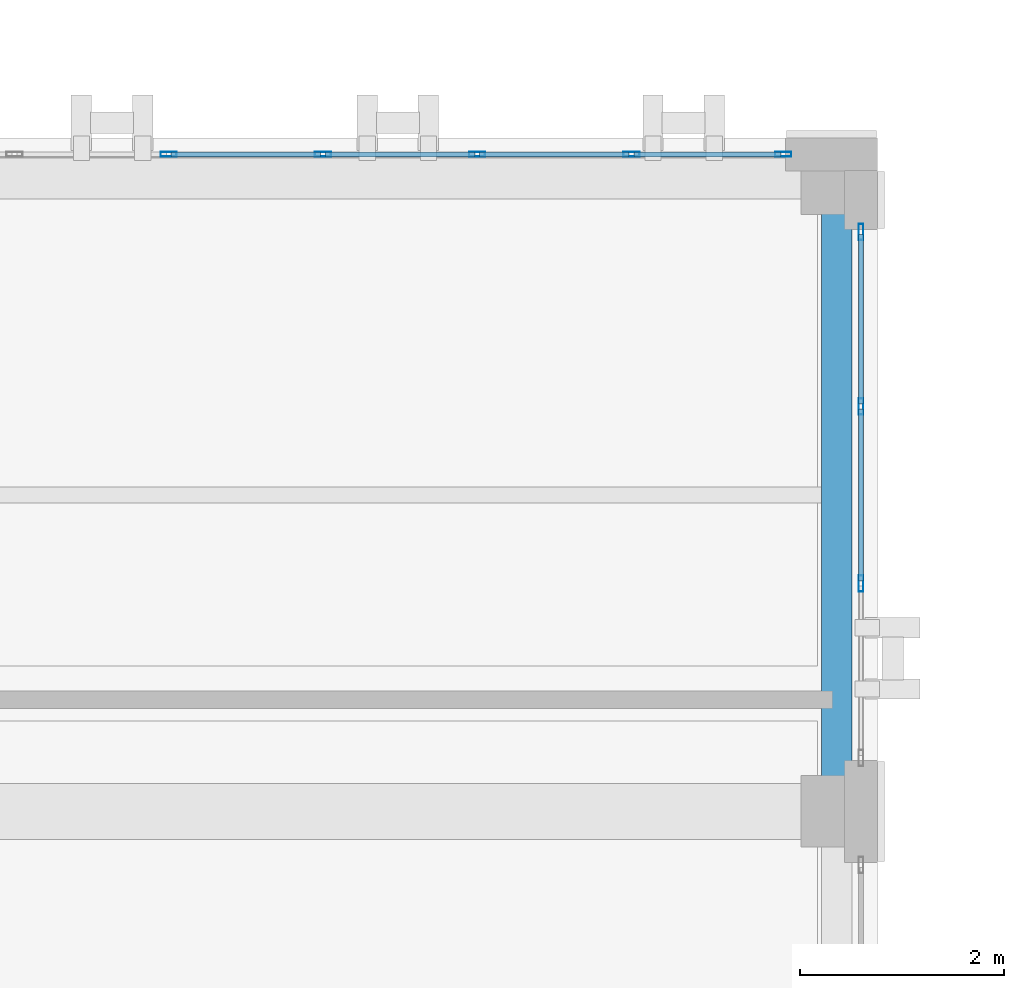
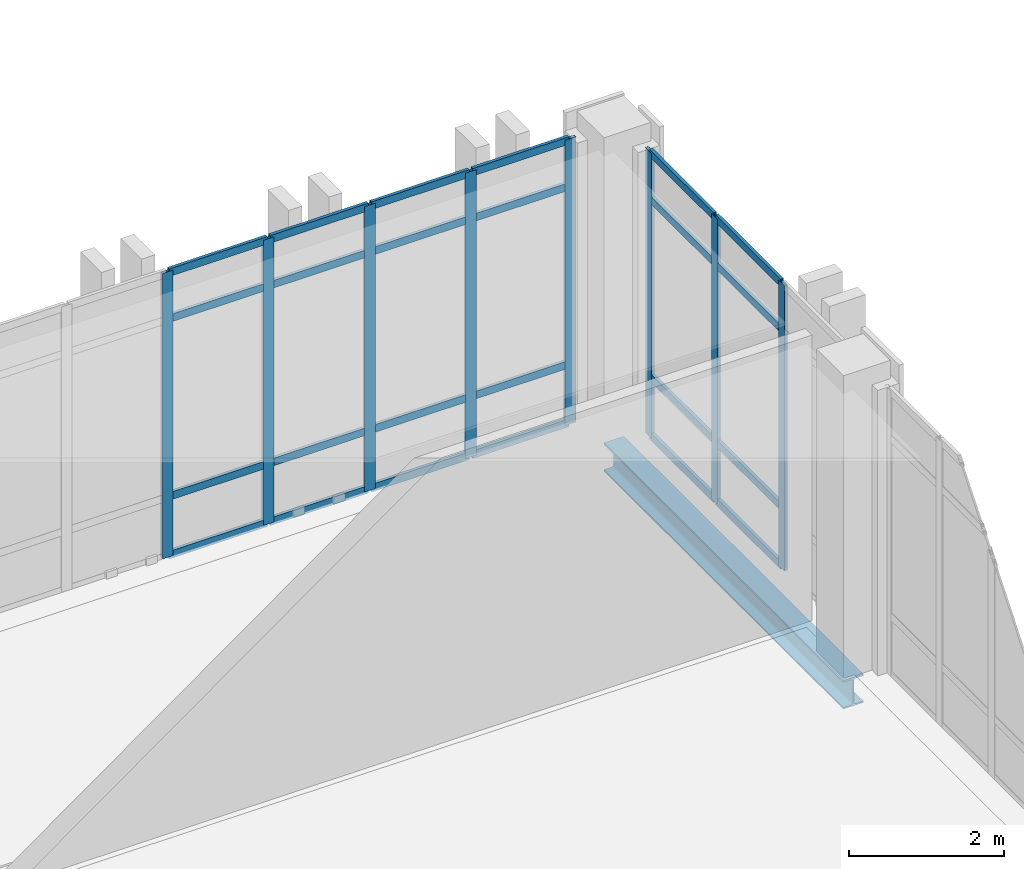
# One storey, part 111 of 189: 32 members, 1 beam, 2 elements without a shape of their own.
"""IFC4 building model written with IfcOpenShell, lengths in metres."""

from ifc_helpers import new_model, si_unit, direction, frame, origin, origin_2d, place, context, subcontext, project, spatial, hollow_rectangle, i_section, extrude, material, layer, layer_set, material_profile, profile_set, type_object, element, aggregate, save


model = new_model("IFC4")

# Units and contexts
model_context = context("Model", 3, precision=1e-05, world=origin(), true_north=direction((0.0, 1.0)))
body_context = subcontext(model_context, "Body", "Model", "MODEL_VIEW")
ifc_project = project(units=[si_unit("LENGTHUNIT", "METRE"), si_unit("AREAUNIT", "SQUARE_METRE"), si_unit("VOLUMEUNIT", "CUBIC_METRE"), si_unit("PLANEANGLEUNIT", "RADIAN"), si_unit("MASSUNIT", "GRAM", prefix="KILO")], contexts=[model_context])

# Site, building, storey
site_placement = place(None, origin())
site = spatial("IfcSite", under=ifc_project, at=site_placement, CompositionType="ELEMENT")
building_placement = place(site_placement, origin())
building = spatial("IfcBuilding", under=site, at=building_placement, Name="Qalavern Law Courts", CompositionType="ELEMENT")
storey_placement = place(building_placement, frame((0.0, 0.0, 5.39990234375)))
storey = spatial("IfcBuildingStorey", under=building, at=storey_placement, Name="L01", CompositionType="ELEMENT", Elevation=5.39990234375)

# Curtain wall, members
ifc_material_1 = material(Name="Anodised aluminium and insulated glazing", Category="aluminium")
ifc_layer = layer(ifc_material_1, 0.172119140625)
ifc_layer_set = layer_set([ifc_layer], Name="Anodised aluminium and insulated glazing")
curtain_wall_type = type_object("IfcCurtainWallType", Name="ENV-CW-COURT", PredefinedType="USERDEFINED", material=ifc_layer_set)
curtain_wall_1_placement = place(storey_placement, origin())
curtain_wall_1 = element("IfcCurtainWall", 1, at=curtain_wall_1_placement, inside=storey, type_object=curtain_wall_type, Name="V4 unitised curtain wall L01 east 5", ObjectType="UNITISED CURTAIN WALL", PredefinedType="USERDEFINED")
ifc_material_2 = material(Name="Anodised aluminium", Category="aluminium")
ifc_material_profile_1 = material_profile(ifc_material_2, hollow_rectangle(XDim=0.048095703125, YDim=0.159912109375, WallThickness=0.00390625, at=origin_2d()), Name="ALU MULLION 48x160")
ifc_profile_set_1 = profile_set([ifc_material_profile_1], Name="Anodised aluminium")
member_type_1 = type_object("IfcMemberType", Name="ENV-CWM-48x160", PredefinedType="MULLION", material=ifc_profile_set_1)
member_1_placement = place(storey_placement, frame((106.637451171875, 81.433349609375, 0.0), z_axis=(0.0, 0.0, 1.0), x_axis=(-1.0, 0.0, 0.0)))
member_1 = element("IfcMember", 2, at=member_1_placement, type_object=member_type_1, Name="CW-03 mullion 2", PredefinedType="MULLION", context=body_context, shape_type="SweptSolid", body=[
    extrude(hollow_rectangle(XDim=0.048095703125, YDim=0.159912109375, WallThickness=0.00390625, at=origin_2d()), origin(), (0.0, 0.0, 1.0), 4.510009765625),
])
member_2_placement = place(storey_placement, frame((106.637451171875, 83.166748046875, 0.0), z_axis=(0.0, 0.0, 1.0), x_axis=(-1.0, 0.0, 0.0)))
member_2 = element("IfcMember", 3, at=member_2_placement, type_object=member_type_1, Name="CW-03 mullion 3", PredefinedType="MULLION", context=body_context, shape_type="SweptSolid", body=[
    extrude(hollow_rectangle(XDim=0.048095703125, YDim=0.159912109375, WallThickness=0.00390625, at=origin_2d()), origin(), (0.0, 0.0, 1.0), 4.510009765625),
])
member_3_placement = place(storey_placement, frame((106.637451171875, 84.8759765625, 0.0), z_axis=(0.0, 0.0, 1.0), x_axis=(-1.0, 0.0, 0.0)))
member_3 = element("IfcMember", 4, at=member_3_placement, type_object=member_type_1, Name="CW-03 mullion 4", PredefinedType="MULLION", context=body_context, shape_type="SweptSolid", body=[
    extrude(hollow_rectangle(XDim=0.048095703125, YDim=0.159912109375, WallThickness=0.00390625, at=origin_2d()), origin(), (0.0, 0.0, 1.0), 4.510009765625),
])

curtain_wall_2_placement = place(storey_placement, origin())
curtain_wall_2 = element("IfcCurtainWall", 5, at=curtain_wall_2_placement, inside=storey, type_object=curtain_wall_type, Name="V4 unitised curtain wall L01 north 1", ObjectType="UNITISED CURTAIN WALL", PredefinedType="USERDEFINED")
member_4_placement = place(storey_placement, frame((105.8759765625, 85.637451171875, 0.0), z_axis=(0.0, 0.0, 1.0), x_axis=(0.0, -1.0, 0.0)))
member_4 = element("IfcMember", 6, at=member_4_placement, type_object=member_type_1, Name="CW-03 mullion 1", PredefinedType="MULLION", context=body_context, shape_type="SweptSolid", body=[
    extrude(hollow_rectangle(XDim=0.048095703125, YDim=0.159912109375, WallThickness=0.00390625, at=origin_2d()), origin(), (0.0, 0.0, 1.0), 4.510009765625),
])
member_5_placement = place(storey_placement, frame((104.388916015625, 85.637451171875, 0.0), z_axis=(0.0, 0.0, 1.0), x_axis=(0.0, -1.0, 0.0)))
member_5 = element("IfcMember", 7, at=member_5_placement, type_object=member_type_1, Name="CW-03 mullion 2", PredefinedType="MULLION", context=body_context, shape_type="SweptSolid", body=[
    extrude(hollow_rectangle(XDim=0.048095703125, YDim=0.159912109375, WallThickness=0.00390625, at=origin_2d()), origin(), (0.0, 0.0, 1.0), 4.510009765625),
])
member_6_placement = place(storey_placement, frame((102.877685546875, 85.637451171875, 0.0), z_axis=(0.0, 0.0, 1.0), x_axis=(0.0, -1.0, 0.0)))
member_6 = element("IfcMember", 8, at=member_6_placement, type_object=member_type_1, Name="CW-03 mullion 3", PredefinedType="MULLION", context=body_context, shape_type="SweptSolid", body=[
    extrude(hollow_rectangle(XDim=0.048095703125, YDim=0.159912109375, WallThickness=0.00390625, at=origin_2d()), origin(), (0.0, 0.0, 1.0), 4.510009765625),
])
member_7_placement = place(storey_placement, frame((101.36669921875, 85.637451171875, 0.0), z_axis=(0.0, 0.0, 1.0), x_axis=(0.0, -1.0, 0.0)))
member_7 = element("IfcMember", 9, at=member_7_placement, type_object=member_type_1, Name="CW-03 mullion 4", PredefinedType="MULLION", context=body_context, shape_type="SweptSolid", body=[
    extrude(hollow_rectangle(XDim=0.048095703125, YDim=0.159912109375, WallThickness=0.00390625, at=origin_2d()), origin(), (0.0, 0.0, 1.0), 4.510009765625),
])
member_8_placement = place(storey_placement, frame((99.85546875, 85.637451171875, 0.0), z_axis=(0.0, 0.0, 1.0), x_axis=(0.0, -1.0, 0.0)))
member_8 = element("IfcMember", 10, at=member_8_placement, type_object=member_type_1, Name="CW-03 mullion 5", PredefinedType="MULLION", context=body_context, shape_type="SweptSolid", body=[
    extrude(hollow_rectangle(XDim=0.048095703125, YDim=0.159912109375, WallThickness=0.00390625, at=origin_2d()), origin(), (0.0, 0.0, 1.0), 4.510009765625),
])

# Member
ifc_material_profile_2 = material_profile(ifc_material_2, hollow_rectangle(XDim=0.048095703125, YDim=0.1201171875, WallThickness=0.00390625, at=origin_2d()), Name="ALU TRANSOM 48x120")
ifc_profile_set_2 = profile_set([ifc_material_profile_2], Name="Anodised aluminium")
member_type_2 = type_object("IfcMemberType", Name="ENV-CWT-48x120", PredefinedType="USERDEFINED", material=ifc_profile_set_2)
member_9_placement = place(storey_placement, frame((106.637451171875, 81.457275390625, 0.024169921875), z_axis=(0.0, 1.0, 0.0), x_axis=(-1.0, 0.0, 0.0)))
member_9 = element("IfcMember", 11, at=member_9_placement, type_object=member_type_2, Name="CW-03 transom 2.1", ObjectType="TRANSOM", PredefinedType="USERDEFINED", context=body_context, shape_type="SweptSolid", body=[
    extrude(hollow_rectangle(XDim=0.048095703125, YDim=0.1201171875, WallThickness=0.00390625, at=origin_2d()), origin(), (0.0, 0.0, 1.0), 1.685302734375),
])

member_10_placement = place(storey_placement, frame((106.637451171875, 81.457275390625, 0.9501953125), z_axis=(0.0, 1.0, 0.0), x_axis=(-1.0, 0.0, 0.0)))
member_10 = element("IfcMember", 12, at=member_10_placement, type_object=member_type_2, Name="CW-03 transom 2.2", ObjectType="TRANSOM", PredefinedType="USERDEFINED", context=body_context, shape_type="SweptSolid", body=[
    extrude(hollow_rectangle(XDim=0.048095703125, YDim=0.1201171875, WallThickness=0.00390625, at=origin_2d()), origin(), (0.0, 0.0, 1.0), 1.685302734375),
])

member_11_placement = place(storey_placement, frame((106.637451171875, 81.457275390625, 3.760009765625), z_axis=(0.0, 1.0, 0.0), x_axis=(-1.0, 0.0, 0.0)))
member_11 = element("IfcMember", 13, at=member_11_placement, type_object=member_type_2, Name="CW-03 transom 2.3", ObjectType="TRANSOM", PredefinedType="USERDEFINED", context=body_context, shape_type="SweptSolid", body=[
    extrude(hollow_rectangle(XDim=0.048095703125, YDim=0.1201171875, WallThickness=0.00390625, at=origin_2d()), origin(), (0.0, 0.0, 1.0), 1.685302734375),
])

member_12_placement = place(storey_placement, frame((106.637451171875, 81.457275390625, 4.486083984375), z_axis=(0.0, 1.0, 0.0), x_axis=(-1.0, 0.0, 0.0)))
member_12 = element("IfcMember", 14, at=member_12_placement, type_object=member_type_2, Name="CW-03 transom 2.4", ObjectType="TRANSOM", PredefinedType="USERDEFINED", context=body_context, shape_type="SweptSolid", body=[
    extrude(hollow_rectangle(XDim=0.048095703125, YDim=0.1201171875, WallThickness=0.00390625, at=origin_2d()), origin(), (0.0, 0.0, 1.0), 1.685302734375),
])

member_13_placement = place(storey_placement, frame((106.637451171875, 83.190673828125, 0.024169921875), z_axis=(0.0, 1.0, 0.0), x_axis=(-1.0, 0.0, 0.0)))
member_13 = element("IfcMember", 15, at=member_13_placement, type_object=member_type_2, Name="CW-03 transom 3.1", ObjectType="TRANSOM", PredefinedType="USERDEFINED", context=body_context, shape_type="SweptSolid", body=[
    extrude(hollow_rectangle(XDim=0.048095703125, YDim=0.1201171875, WallThickness=0.00390625, at=origin_2d()), origin(), (0.0, 0.0, 1.0), 1.661376953125),
])

member_14_placement = place(storey_placement, frame((106.637451171875, 83.190673828125, 0.9501953125), z_axis=(0.0, 1.0, 0.0), x_axis=(-1.0, 0.0, 0.0)))
member_14 = element("IfcMember", 16, at=member_14_placement, type_object=member_type_2, Name="CW-03 transom 3.2", ObjectType="TRANSOM", PredefinedType="USERDEFINED", context=body_context, shape_type="SweptSolid", body=[
    extrude(hollow_rectangle(XDim=0.048095703125, YDim=0.1201171875, WallThickness=0.00390625, at=origin_2d()), origin(), (0.0, 0.0, 1.0), 1.661376953125),
])

member_15_placement = place(storey_placement, frame((106.637451171875, 83.190673828125, 3.760009765625), z_axis=(0.0, 1.0, 0.0), x_axis=(-1.0, 0.0, 0.0)))
member_15 = element("IfcMember", 17, at=member_15_placement, type_object=member_type_2, Name="CW-03 transom 3.3", ObjectType="TRANSOM", PredefinedType="USERDEFINED", context=body_context, shape_type="SweptSolid", body=[
    extrude(hollow_rectangle(XDim=0.048095703125, YDim=0.1201171875, WallThickness=0.00390625, at=origin_2d()), origin(), (0.0, 0.0, 1.0), 1.661376953125),
])

member_16_placement = place(storey_placement, frame((106.637451171875, 83.190673828125, 4.486083984375), z_axis=(0.0, 1.0, 0.0), x_axis=(-1.0, 0.0, 0.0)))
member_16 = element("IfcMember", 18, at=member_16_placement, type_object=member_type_2, Name="CW-03 transom 3.4", ObjectType="TRANSOM", PredefinedType="USERDEFINED", context=body_context, shape_type="SweptSolid", body=[
    extrude(hollow_rectangle(XDim=0.048095703125, YDim=0.1201171875, WallThickness=0.00390625, at=origin_2d()), origin(), (0.0, 0.0, 1.0), 1.661376953125),
])

aggregate(curtain_wall_1, [member_1, member_2, member_3, member_9, member_10, member_11, member_12, member_13, member_14, member_15, member_16])

member_17_placement = place(storey_placement, frame((105.85205078125, 85.637451171875, 0.024169921875), z_axis=(-1.0, 0.0, 0.0), x_axis=(0.0, -1.0, 0.0)))
member_17 = element("IfcMember", 19, at=member_17_placement, type_object=member_type_2, Name="CW-03 transom 1.1", ObjectType="TRANSOM", PredefinedType="USERDEFINED", context=body_context, shape_type="SweptSolid", body=[
    extrude(hollow_rectangle(XDim=0.048095703125, YDim=0.1201171875, WallThickness=0.00390625, at=origin_2d()), origin(), (0.0, 0.0, 1.0), 1.439208984375),
])

member_18_placement = place(storey_placement, frame((105.85205078125, 85.637451171875, 0.9501953125), z_axis=(-1.0, 0.0, 0.0), x_axis=(0.0, -1.0, 0.0)))
member_18 = element("IfcMember", 20, at=member_18_placement, type_object=member_type_2, Name="CW-03 transom 1.2", ObjectType="TRANSOM", PredefinedType="USERDEFINED", context=body_context, shape_type="SweptSolid", body=[
    extrude(hollow_rectangle(XDim=0.048095703125, YDim=0.1201171875, WallThickness=0.00390625, at=origin_2d()), origin(), (0.0, 0.0, 1.0), 1.439208984375),
])

member_19_placement = place(storey_placement, frame((105.85205078125, 85.637451171875, 3.760009765625), z_axis=(-1.0, 0.0, 0.0), x_axis=(0.0, -1.0, 0.0)))
member_19 = element("IfcMember", 21, at=member_19_placement, type_object=member_type_2, Name="CW-03 transom 1.3", ObjectType="TRANSOM", PredefinedType="USERDEFINED", context=body_context, shape_type="SweptSolid", body=[
    extrude(hollow_rectangle(XDim=0.048095703125, YDim=0.1201171875, WallThickness=0.00390625, at=origin_2d()), origin(), (0.0, 0.0, 1.0), 1.439208984375),
])

member_20_placement = place(storey_placement, frame((105.85205078125, 85.637451171875, 4.486083984375), z_axis=(-1.0, 0.0, 0.0), x_axis=(0.0, -1.0, 0.0)))
member_20 = element("IfcMember", 22, at=member_20_placement, type_object=member_type_2, Name="CW-03 transom 1.4", ObjectType="TRANSOM", PredefinedType="USERDEFINED", context=body_context, shape_type="SweptSolid", body=[
    extrude(hollow_rectangle(XDim=0.048095703125, YDim=0.1201171875, WallThickness=0.00390625, at=origin_2d()), origin(), (0.0, 0.0, 1.0), 1.439208984375),
])

member_21_placement = place(storey_placement, frame((104.364990234375, 85.637451171875, 0.024169921875), z_axis=(-1.0, 0.0, 0.0), x_axis=(0.0, -1.0, 0.0)))
member_21 = element("IfcMember", 23, at=member_21_placement, type_object=member_type_2, Name="CW-03 transom 2.1", ObjectType="TRANSOM", PredefinedType="USERDEFINED", context=body_context, shape_type="SweptSolid", body=[
    extrude(hollow_rectangle(XDim=0.048095703125, YDim=0.1201171875, WallThickness=0.00390625, at=origin_2d()), origin(), (0.0, 0.0, 1.0), 1.463134765625),
])

member_22_placement = place(storey_placement, frame((104.364990234375, 85.637451171875, 0.9501953125), z_axis=(-1.0, 0.0, 0.0), x_axis=(0.0, -1.0, 0.0)))
member_22 = element("IfcMember", 24, at=member_22_placement, type_object=member_type_2, Name="CW-03 transom 2.2", ObjectType="TRANSOM", PredefinedType="USERDEFINED", context=body_context, shape_type="SweptSolid", body=[
    extrude(hollow_rectangle(XDim=0.048095703125, YDim=0.1201171875, WallThickness=0.00390625, at=origin_2d()), origin(), (0.0, 0.0, 1.0), 1.463134765625),
])

member_23_placement = place(storey_placement, frame((104.364990234375, 85.637451171875, 3.760009765625), z_axis=(-1.0, 0.0, 0.0), x_axis=(0.0, -1.0, 0.0)))
member_23 = element("IfcMember", 25, at=member_23_placement, type_object=member_type_2, Name="CW-03 transom 2.3", ObjectType="TRANSOM", PredefinedType="USERDEFINED", context=body_context, shape_type="SweptSolid", body=[
    extrude(hollow_rectangle(XDim=0.048095703125, YDim=0.1201171875, WallThickness=0.00390625, at=origin_2d()), origin(), (0.0, 0.0, 1.0), 1.463134765625),
])

member_24_placement = place(storey_placement, frame((104.364990234375, 85.637451171875, 4.486083984375), z_axis=(-1.0, 0.0, 0.0), x_axis=(0.0, -1.0, 0.0)))
member_24 = element("IfcMember", 26, at=member_24_placement, type_object=member_type_2, Name="CW-03 transom 2.4", ObjectType="TRANSOM", PredefinedType="USERDEFINED", context=body_context, shape_type="SweptSolid", body=[
    extrude(hollow_rectangle(XDim=0.048095703125, YDim=0.1201171875, WallThickness=0.00390625, at=origin_2d()), origin(), (0.0, 0.0, 1.0), 1.463134765625),
])

member_25_placement = place(storey_placement, frame((102.853759765625, 85.637451171875, 0.024169921875), z_axis=(-1.0, 0.0, 0.0), x_axis=(0.0, -1.0, 0.0)))
member_25 = element("IfcMember", 27, at=member_25_placement, type_object=member_type_2, Name="CW-03 transom 3.1", ObjectType="TRANSOM", PredefinedType="USERDEFINED", context=body_context, shape_type="SweptSolid", body=[
    extrude(hollow_rectangle(XDim=0.048095703125, YDim=0.1201171875, WallThickness=0.00390625, at=origin_2d()), origin(), (0.0, 0.0, 1.0), 1.463134765625),
])

member_26_placement = place(storey_placement, frame((102.853759765625, 85.637451171875, 0.9501953125), z_axis=(-1.0, 0.0, 0.0), x_axis=(0.0, -1.0, 0.0)))
member_26 = element("IfcMember", 28, at=member_26_placement, type_object=member_type_2, Name="CW-03 transom 3.2", ObjectType="TRANSOM", PredefinedType="USERDEFINED", context=body_context, shape_type="SweptSolid", body=[
    extrude(hollow_rectangle(XDim=0.048095703125, YDim=0.1201171875, WallThickness=0.00390625, at=origin_2d()), origin(), (0.0, 0.0, 1.0), 1.463134765625),
])

member_27_placement = place(storey_placement, frame((102.853759765625, 85.637451171875, 3.760009765625), z_axis=(-1.0, 0.0, 0.0), x_axis=(0.0, -1.0, 0.0)))
member_27 = element("IfcMember", 29, at=member_27_placement, type_object=member_type_2, Name="CW-03 transom 3.3", ObjectType="TRANSOM", PredefinedType="USERDEFINED", context=body_context, shape_type="SweptSolid", body=[
    extrude(hollow_rectangle(XDim=0.048095703125, YDim=0.1201171875, WallThickness=0.00390625, at=origin_2d()), origin(), (0.0, 0.0, 1.0), 1.463134765625),
])

member_28_placement = place(storey_placement, frame((102.853759765625, 85.637451171875, 4.486083984375), z_axis=(-1.0, 0.0, 0.0), x_axis=(0.0, -1.0, 0.0)))
member_28 = element("IfcMember", 30, at=member_28_placement, type_object=member_type_2, Name="CW-03 transom 3.4", ObjectType="TRANSOM", PredefinedType="USERDEFINED", context=body_context, shape_type="SweptSolid", body=[
    extrude(hollow_rectangle(XDim=0.048095703125, YDim=0.1201171875, WallThickness=0.00390625, at=origin_2d()), origin(), (0.0, 0.0, 1.0), 1.463134765625),
])

member_29_placement = place(storey_placement, frame((101.3427734375, 85.637451171875, 0.024169921875), z_axis=(-1.0, 0.0, 0.0), x_axis=(0.0, -1.0, 0.0)))
member_29 = element("IfcMember", 31, at=member_29_placement, type_object=member_type_2, Name="CW-03 transom 4.1", ObjectType="TRANSOM", PredefinedType="USERDEFINED", context=body_context, shape_type="SweptSolid", body=[
    extrude(hollow_rectangle(XDim=0.048095703125, YDim=0.1201171875, WallThickness=0.00390625, at=origin_2d()), origin(), (0.0, 0.0, 1.0), 1.463134765625),
])

member_30_placement = place(storey_placement, frame((101.3427734375, 85.637451171875, 0.9501953125), z_axis=(-1.0, 0.0, 0.0), x_axis=(0.0, -1.0, 0.0)))
member_30 = element("IfcMember", 32, at=member_30_placement, type_object=member_type_2, Name="CW-03 transom 4.2", ObjectType="TRANSOM", PredefinedType="USERDEFINED", context=body_context, shape_type="SweptSolid", body=[
    extrude(hollow_rectangle(XDim=0.048095703125, YDim=0.1201171875, WallThickness=0.00390625, at=origin_2d()), origin(), (0.0, 0.0, 1.0), 1.463134765625),
])

member_31_placement = place(storey_placement, frame((101.3427734375, 85.637451171875, 3.760009765625), z_axis=(-1.0, 0.0, 0.0), x_axis=(0.0, -1.0, 0.0)))
member_31 = element("IfcMember", 33, at=member_31_placement, type_object=member_type_2, Name="CW-03 transom 4.3", ObjectType="TRANSOM", PredefinedType="USERDEFINED", context=body_context, shape_type="SweptSolid", body=[
    extrude(hollow_rectangle(XDim=0.048095703125, YDim=0.1201171875, WallThickness=0.00390625, at=origin_2d()), origin(), (0.0, 0.0, 1.0), 1.463134765625),
])

member_32_placement = place(storey_placement, frame((101.3427734375, 85.637451171875, 4.486083984375), z_axis=(-1.0, 0.0, 0.0), x_axis=(0.0, -1.0, 0.0)))
member_32 = element("IfcMember", 34, at=member_32_placement, type_object=member_type_2, Name="CW-03 transom 4.4", ObjectType="TRANSOM", PredefinedType="USERDEFINED", context=body_context, shape_type="SweptSolid", body=[
    extrude(hollow_rectangle(XDim=0.048095703125, YDim=0.1201171875, WallThickness=0.00390625, at=origin_2d()), origin(), (0.0, 0.0, 1.0), 1.463134765625),
])

aggregate(curtain_wall_2, [member_4, member_5, member_6, member_7, member_8, member_17, member_18, member_19, member_20, member_21, member_22, member_23, member_24, member_25, member_26, member_27, member_28, member_29, member_30, member_31, member_32])

# Beam
ifc_material_3 = material(Name="Steel S355", Category="steel")
ifc_material_profile_3 = material_profile(ifc_material_3, i_section(OverallWidth=0.300048828125, OverallDepth=0.449951171875, WebThickness=0.013916015625, FlangeThickness=0.02587890625, FilletRadius=0.027099609375, at=origin_2d()), Name="HEB 450")
ifc_profile_set_3 = profile_set([ifc_material_profile_3], Name="Steel S355")
beam_type = type_object("IfcBeamType", Name="STR-SP-HEB450", PredefinedType="SPANDREL", material=ifc_profile_set_3)
beam_placement = place(storey_placement, frame((106.39990234375, 79.199951171875, -0.52490234375), z_axis=(0.0, 1.0, 0.0), x_axis=(-1.0, 0.0, 0.0)))
element("IfcBeam", 35, at=beam_placement, inside=storey, type_object=beam_type, Name="V4 Y-beam 3-6 L01", PredefinedType="SPANDREL", context=body_context, shape_type="SweptSolid", body=[
    extrude(i_section(OverallWidth=0.300048828125, OverallDepth=0.449951171875, WebThickness=0.013916015625, FlangeThickness=0.02587890625, FilletRadius=0.027099609375, at=origin_2d()), origin(), (0.0, 0.0, 1.0), 6.199951171875),
])

save(model, "model.ifc")
